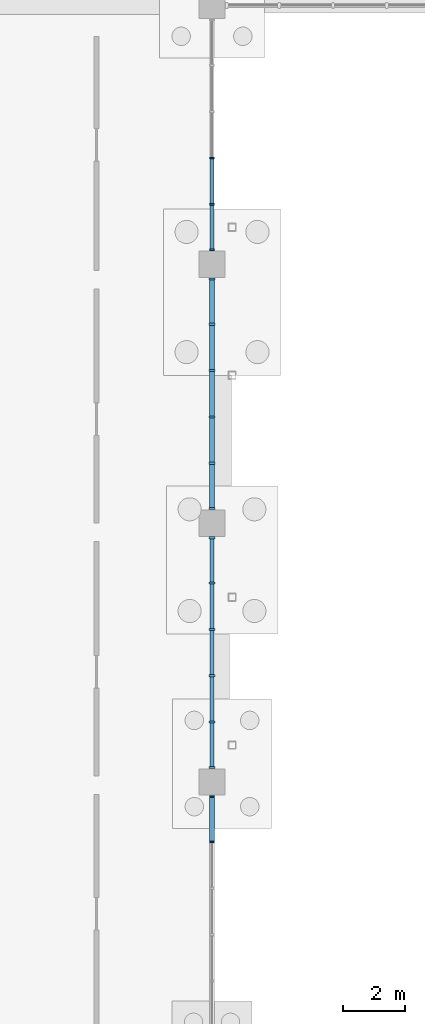
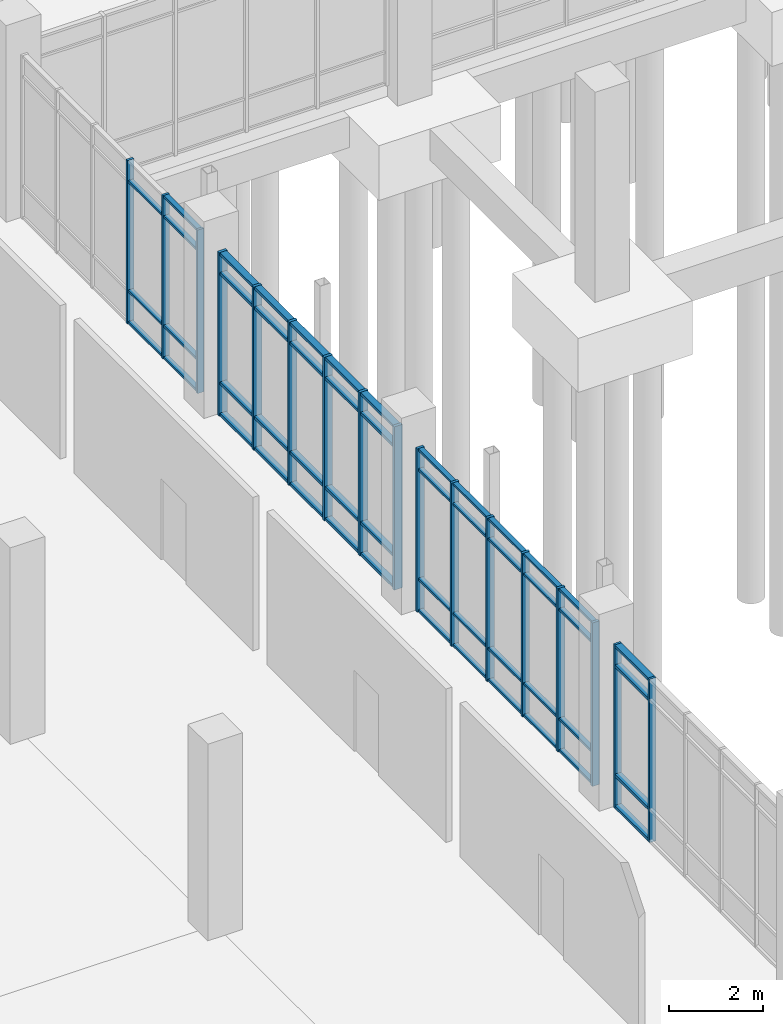
# One storey, part 52 of 136: 68 members, 4 elements without a shape of their own.
"""IFC4 building model written with IfcOpenShell, lengths in metres."""

import ifcopenshell
import ifcopenshell.guid

model = None  # the IFC model being written
_history = None  # IfcOwnerHistory: only IFC2X3 demands one
_inside = {}  # id of a spatial element -> (the spatial element, [elements in it])
_under = {}  # id of a project, library or spatial element -> (it, [spatial elements below it])
_declared = {}  # id of a project -> (the project, [libraries it declares])
_typed = {}  # id of a type object -> (the type object, [elements of that type])
_made_of = {}  # id of a material, layer set ... -> (it, [elements and type objects made of it])


def new_model(schema):
    """Start an empty IFC model of exactly this schema.

    Asked for "IFC4X3", IfcOpenShell would pick the latest addendum, in which some entities
    have other attributes; the version numbers below select the first issue.
    IFC2X3 requires an IfcOwnerHistory on every rooted entity: one is made here for all.
    """
    global model, _history
    if schema == "IFC4X3":
        model = ifcopenshell.file(schema_version=(4, 3, 0, 0))
    else:
        model = ifcopenshell.file(schema=schema)
    _inside.clear()
    _under.clear()
    _declared.clear()
    _typed.clear()
    _made_of.clear()
    _history = None
    if model.schema == "IFC2X3":
        org = make("IfcOrganization", Name="unknown")
        user = make(
            "IfcPersonAndOrganization",
            ThePerson=make("IfcPerson", FamilyName="unknown"),
            TheOrganization=org,
        )
        app = make(
            "IfcApplication",
            ApplicationDeveloper=org,
            Version="unknown",
            ApplicationFullName="unknown",
            ApplicationIdentifier="unknown",
        )
        _history = make(
            "IfcOwnerHistory",
            OwningUser=user,
            OwningApplication=app,
            ChangeAction="ADDED",
            CreationDate=0,
        )
    return model


def make(cls, **values):
    """One entity of the class cls with the attributes given. An attribute that is None is left unset."""
    return model.create_entity(
        cls, **{name: value for name, value in values.items() if value is not None}
    )


def rooted(cls, **values):
    """An entity with a GlobalId (a new one), such as an element, a storey or a relation."""
    return make(cls, GlobalId=ifcopenshell.guid.new(), OwnerHistory=_history, **values)


def si_unit(unit_type, name, prefix=None):
    """IfcSIUnit, for example si_unit("LENGTHUNIT", "METRE", prefix="MILLI")."""
    return make("IfcSIUnit", UnitType=unit_type, Prefix=prefix, Name=name)


def assignment(units):
    """IfcUnitAssignment: the units of a project."""
    return None if units is None else make("IfcUnitAssignment", Units=units)


def point(xyz):
    """IfcCartesianPoint."""
    return None if xyz is None else make("IfcCartesianPoint", Coordinates=xyz)


def direction(xyz):
    """IfcDirection."""
    return None if xyz is None else make("IfcDirection", DirectionRatios=xyz)


def frame(location, z_axis=None, x_axis=None):
    """IfcAxis2Placement3D, a coordinate frame: its origin and axes. An axis left out is left unset."""
    return make(
        "IfcAxis2Placement3D",
        Location=point(location),
        Axis=direction(z_axis),
        RefDirection=direction(x_axis),
    )


def frame_2d(location, x_axis=None):
    """IfcAxis2Placement2D, a coordinate frame in the plane: its origin and x axis."""
    return make(
        "IfcAxis2Placement2D", Location=point(location), RefDirection=direction(x_axis)
    )


def origin():
    """The frame at (0, 0, 0) with its axes left unset."""
    return frame((0.0, 0.0, 0.0))


def origin_2d():
    """The frame at (0, 0) in the plane with its x axis left unset."""
    return frame_2d((0.0, 0.0))


def place(relative_to, where):
    """IfcLocalPlacement: puts the frame where relative to a parent placement (None: the world)."""
    return make(
        "IfcLocalPlacement", PlacementRelTo=relative_to, RelativePlacement=where
    )


def context(
    kind, dimensions, precision=None, world=None, true_north=None, identifier=None
):
    """IfcGeometricRepresentationContext, for example the 3D "Model" context."""
    return make(
        "IfcGeometricRepresentationContext",
        ContextIdentifier=identifier,
        ContextType=kind,
        CoordinateSpaceDimension=dimensions,
        Precision=precision,
        WorldCoordinateSystem=world,
        TrueNorth=true_north,
    )


def subcontext(parent, identifier, kind, view, scale=None):
    """IfcGeometricRepresentationSubContext, for example "Body" below "Model"."""
    return make(
        "IfcGeometricRepresentationSubContext",
        ContextIdentifier=identifier,
        ContextType=kind,
        ParentContext=parent,
        TargetScale=scale,
        TargetView=view,
    )


def project(units=None, contexts=None):
    """IfcProject with its units and contexts."""
    return rooted(
        "IfcProject",
        Name="project",
        RepresentationContexts=contexts,
        UnitsInContext=assignment(units),
    )


def spatial(cls, under=None, at=None, **own):
    """A site, building, storey or space (cls), placed at a placement, below another one or the project."""
    s = rooted(cls, ObjectPlacement=at, **own)
    if under is not None:
        _under.setdefault(under.id(), (under, []))[1].append(s)
    return s


def profile(cls, at=None, kind="AREA", **sizes):
    """A parametric profile (cls). Its sizes go by their IFC names, for example OverallWidth=200.0."""
    return make(cls, ProfileType=kind, Position=at, **sizes)


def rectangle(**sizes):
    """IfcRectangleProfileDef."""
    return profile("IfcRectangleProfileDef", **sizes)


def extrude(swept, where, along, depth):
    """IfcExtrudedAreaSolid: the profile swept, set in the frame where, extruded along a direction by depth."""
    return make(
        "IfcExtrudedAreaSolid",
        SweptArea=swept,
        Position=where,
        ExtrudedDirection=direction(along),
        Depth=depth,
    )


def shape(context_of_items, identifier, shape_type, items):
    """IfcShapeRepresentation: the items that make up one representation, for example the "Body"."""
    return make(
        "IfcShapeRepresentation",
        ContextOfItems=context_of_items,
        RepresentationIdentifier=identifier,
        RepresentationType=shape_type,
        Items=items,
    )


def material(Name=None, Category=None):
    """IfcMaterial."""
    return make("IfcMaterial", Name=Name, Category=Category)


def material_profile(
    of_material, cross_section, Name=None, Category=None, Priority=None
):
    """IfcMaterialProfile: a cross section and its material."""
    return make(
        "IfcMaterialProfile",
        Name=Name,
        Material=of_material,
        Profile=cross_section,
        Priority=Priority,
        Category=Category,
    )


def profile_set(profiles, Name=None, composite=None):
    """IfcMaterialProfileSet."""
    return make(
        "IfcMaterialProfileSet",
        Name=Name,
        MaterialProfiles=profiles,
        CompositeProfile=composite,
    )


def made_of(thing, what):
    """Note that an element or type object is made of a material, layer set ...; save() writes the relation."""
    if what is not None:
        _made_of.setdefault(what.id(), (what, []))[1].append(thing)
    return thing


def type_object(cls, material=None, **own):
    """A type object (cls), such as IfcWallType, which elements share."""
    return made_of(rooted(cls, **own), material)


def element(
    cls,
    number,
    at=None,
    inside=None,
    cuts=None,
    type_object=None,
    material=None,
    context=None,
    identifier="Body",
    shape_type=None,
    held_by="IfcProductDefinitionShape",
    body=None,
    shapes=None,
    **own,
):
    """One element of the class cls, such as IfcWall. Its Tag is "e" and its number.

    at: its placement. inside: the storey or other place that contains it. cuts: it is an
    opening in that element (IfcRelVoidsElement). A single representation is given by context,
    identifier, shape_type and body (its items); several are given by shapes. held_by: the class
    of the entity that holds the representations. save() writes the other relations.
    """
    e = rooted(cls, Tag="e%d" % number, ObjectPlacement=at, **own)
    if body is not None:
        shapes = [shape(context, identifier, shape_type, body)]
    if shapes is not None:
        e.Representation = make(held_by, Representations=shapes)
    if inside is not None:
        _inside.setdefault(inside.id(), (inside, []))[1].append(e)
    if cuts is not None:
        rooted(
            "IfcRelVoidsElement", RelatingBuildingElement=cuts, RelatedOpeningElement=e
        )
    if type_object is not None:
        _typed.setdefault(type_object.id(), (type_object, []))[1].append(e)
    return made_of(e, material)


def aggregate(whole, parts):
    """IfcRelAggregates: a whole, such as a stair, and the parts it consists of."""
    return rooted("IfcRelAggregates", RelatingObject=whole, RelatedObjects=parts)


def save(model, path):
    """Write the relations noted so far, then the file.

    IfcRelAggregates (storeys below a building ...), IfcRelContainedInSpatialStructure (elements
    in a storey), IfcRelDefinesByType, IfcRelAssociatesMaterial and IfcRelDeclares: one each for
    every whole, place, type object, material and project.
    """
    for whole, parts in _under.values():
        aggregate(whole, parts)
    for where, things in _inside.values():
        rooted(
            "IfcRelContainedInSpatialStructure",
            RelatedElements=things,
            RelatingStructure=where,
        )
    for kind, things in _typed.values():
        rooted("IfcRelDefinesByType", RelatedObjects=things, RelatingType=kind)
    for what, things in _made_of.values():
        rooted("IfcRelAssociatesMaterial", RelatedObjects=things, RelatingMaterial=what)
    for by, libraries in _declared.values():
        rooted("IfcRelDeclares", RelatingContext=by, RelatedDefinitions=libraries)
    model.write(path)


model = new_model("IFC4")

# Units and contexts
model_context = context("Model", 3, precision=1e-05, world=origin(), true_north=direction((0.0, 1.0)))
body_context = subcontext(model_context, "Body", "Model", "MODEL_VIEW")
ifc_project = project(units=[si_unit("LENGTHUNIT", "METRE"), si_unit("AREAUNIT", "SQUARE_METRE"), si_unit("VOLUMEUNIT", "CUBIC_METRE"), si_unit("PLANEANGLEUNIT", "RADIAN"), si_unit("MASSUNIT", "GRAM", prefix="KILO")], contexts=[model_context])

# Site, building, storey
site_placement = place(None, origin())
site = spatial("IfcSite", under=ifc_project, at=site_placement, CompositionType="ELEMENT")
building_placement = place(site_placement, origin())
building = spatial("IfcBuilding", under=site, at=building_placement, Name="Oolite Switchyard Hospital", CompositionType="ELEMENT")
storey_placement = place(building_placement, origin())
storey = spatial("IfcBuildingStorey", under=building, at=storey_placement, Name="L00", CompositionType="ELEMENT", Elevation=0.0)

# Curtain wall, members
ifc_material_1 = material(Name="Thermally broken aluminum frame with laminated impact glazing", Category="aluminium")
curtain_wall_type = type_object("IfcCurtainWallType", Name="CW-UNIT-84X51", PredefinedType="USERDEFINED", material=ifc_material_1)
curtain_wall_1_placement = place(storey_placement, origin())
curtain_wall_1 = element("IfcCurtainWall", 1, at=curtain_wall_1_placement, inside=storey, type_object=curtain_wall_type, Name="L00 Unitised Curtain Wall 75", ObjectType="UNITISED", PredefinedType="USERDEFINED")
ifc_material_2 = material(Name="Aluminium 6063-T6", Category="aluminium")
ifc_material_profile_1 = material_profile(ifc_material_2, rectangle(XDim=0.159912109375, YDim=0.06005859375, at=origin_2d()), Name="CWM60X160")
ifc_profile_set_1 = profile_set([ifc_material_profile_1], Name="Aluminium 6063-T6")
member_type_1 = type_object("IfcMemberType", Name="CW-MUL-180", PredefinedType="MULLION", material=ifc_profile_set_1)
member_1_placement = place(storey_placement, frame((144.0, 33.1298828125, 0.0), z_axis=(0.0, 0.0, 1.0), x_axis=(1.0, 0.0, 0.0)))
member_1 = element("IfcMember", 2, at=member_1_placement, type_object=member_type_1, Name="CW-06 mullion 1", PredefinedType="MULLION", context=body_context, shape_type="SweptSolid", body=[
    extrude(rectangle(XDim=0.159912109375, YDim=0.06005859375, at=origin_2d()), origin(), (0.0, 0.0, 1.0), 4.239990234375),
])
member_2_placement = place(storey_placement, frame((144.0, 31.656005859375, 0.0), z_axis=(0.0, 0.0, 1.0), x_axis=(1.0, 0.0, 0.0)))
member_2 = element("IfcMember", 3, at=member_2_placement, type_object=member_type_1, Name="CW-06 mullion 2", PredefinedType="MULLION", context=body_context, shape_type="SweptSolid", body=[
    extrude(rectangle(XDim=0.159912109375, YDim=0.06005859375, at=origin_2d()), origin(), (0.0, 0.0, 1.0), 4.239990234375),
])

curtain_wall_2_placement = place(storey_placement, origin())
curtain_wall_2 = element("IfcCurtainWall", 4, at=curtain_wall_2_placement, inside=storey, type_object=curtain_wall_type, Name="L00 Unitised Curtain Wall 78", ObjectType="UNITISED", PredefinedType="USERDEFINED")
member_3_placement = place(storey_placement, frame((144.0, 53.847900390625, 0.0), z_axis=(0.0, 0.0, 1.0), x_axis=(1.0, 0.0, 0.0)))
member_3 = element("IfcMember", 5, at=member_3_placement, type_object=member_type_1, Name="CW-06 mullion 4", PredefinedType="MULLION", context=body_context, shape_type="SweptSolid", body=[
    extrude(rectangle(XDim=0.159912109375, YDim=0.06005859375, at=origin_2d()), origin(), (0.0, 0.0, 1.0), 4.239990234375),
])
member_4_placement = place(storey_placement, frame((144.0, 52.343994140625, 0.0), z_axis=(0.0, 0.0, 1.0), x_axis=(1.0, 0.0, 0.0)))
member_4 = element("IfcMember", 6, at=member_4_placement, type_object=member_type_1, Name="CW-06 mullion 5", PredefinedType="MULLION", context=body_context, shape_type="SweptSolid", body=[
    extrude(rectangle(XDim=0.159912109375, YDim=0.06005859375, at=origin_2d()), origin(), (0.0, 0.0, 1.0), 4.239990234375),
])
member_5_placement = place(storey_placement, frame((144.0, 50.8701171875, 0.0), z_axis=(0.0, 0.0, 1.0), x_axis=(1.0, 0.0, 0.0)))
member_5 = element("IfcMember", 7, at=member_5_placement, type_object=member_type_1, Name="CW-06 mullion 6", PredefinedType="MULLION", context=body_context, shape_type="SweptSolid", body=[
    extrude(rectangle(XDim=0.159912109375, YDim=0.06005859375, at=origin_2d()), origin(), (0.0, 0.0, 1.0), 4.239990234375),
])

curtain_wall_3_placement = place(storey_placement, origin())
curtain_wall_3 = element("IfcCurtainWall", 8, at=curtain_wall_3_placement, inside=storey, type_object=curtain_wall_type, Name="L00 Unitised Curtain Wall 76", ObjectType="UNITISED", PredefinedType="USERDEFINED")
ifc_material_profile_2 = material_profile(ifc_material_2, rectangle(XDim=0.179931640625, YDim=0.070068359375, at=origin_2d()), Name="CWM70X180")
ifc_profile_set_2 = profile_set([ifc_material_profile_2], Name="Aluminium 6063-T6")
member_type_2 = type_object("IfcMemberType", Name="CW-MUL-220", PredefinedType="MULLION", material=ifc_profile_set_2)
member_6_placement = place(storey_placement, frame((144.0, 41.52490234375, 0.0), z_axis=(0.0, 0.0, 1.0), x_axis=(1.0, 0.0, 0.0)))
member_6 = element("IfcMember", 9, at=member_6_placement, type_object=member_type_2, Name="CW-06 mullion 1", PredefinedType="MULLION", context=body_context, shape_type="SweptSolid", body=[
    extrude(rectangle(XDim=0.179931640625, YDim=0.070068359375, at=origin_2d()), origin(), (0.0, 0.0, 1.0), 4.239990234375),
])
member_7_placement = place(storey_placement, frame((144.0, 40.055908203125, 0.0), z_axis=(0.0, 0.0, 1.0), x_axis=(1.0, 0.0, 0.0)))
member_7 = element("IfcMember", 10, at=member_7_placement, type_object=member_type_2, Name="CW-06 mullion 2", PredefinedType="MULLION", context=body_context, shape_type="SweptSolid", body=[
    extrude(rectangle(XDim=0.179931640625, YDim=0.070068359375, at=origin_2d()), origin(), (0.0, 0.0, 1.0), 4.239990234375),
])
member_8_placement = place(storey_placement, frame((144.0, 38.552001953125, 0.0), z_axis=(0.0, 0.0, 1.0), x_axis=(1.0, 0.0, 0.0)))
member_8 = element("IfcMember", 11, at=member_8_placement, type_object=member_type_2, Name="CW-06 mullion 3", PredefinedType="MULLION", context=body_context, shape_type="SweptSolid", body=[
    extrude(rectangle(XDim=0.179931640625, YDim=0.070068359375, at=origin_2d()), origin(), (0.0, 0.0, 1.0), 4.239990234375),
])
member_9_placement = place(storey_placement, frame((144.0, 37.048095703125, 0.0), z_axis=(0.0, 0.0, 1.0), x_axis=(1.0, 0.0, 0.0)))
member_9 = element("IfcMember", 12, at=member_9_placement, type_object=member_type_2, Name="CW-06 mullion 4", PredefinedType="MULLION", context=body_context, shape_type="SweptSolid", body=[
    extrude(rectangle(XDim=0.179931640625, YDim=0.070068359375, at=origin_2d()), origin(), (0.0, 0.0, 1.0), 4.239990234375),
])
member_10_placement = place(storey_placement, frame((144.0, 35.5439453125, 0.0), z_axis=(0.0, 0.0, 1.0), x_axis=(1.0, 0.0, 0.0)))
member_10 = element("IfcMember", 13, at=member_10_placement, type_object=member_type_2, Name="CW-06 mullion 5", PredefinedType="MULLION", context=body_context, shape_type="SweptSolid", body=[
    extrude(rectangle(XDim=0.179931640625, YDim=0.070068359375, at=origin_2d()), origin(), (0.0, 0.0, 1.0), 4.239990234375),
])
member_11_placement = place(storey_placement, frame((144.0, 34.074951171875, 0.0), z_axis=(0.0, 0.0, 1.0), x_axis=(1.0, 0.0, 0.0)))
member_11 = element("IfcMember", 14, at=member_11_placement, type_object=member_type_2, Name="CW-06 mullion 6", PredefinedType="MULLION", context=body_context, shape_type="SweptSolid", body=[
    extrude(rectangle(XDim=0.179931640625, YDim=0.070068359375, at=origin_2d()), origin(), (0.0, 0.0, 1.0), 4.239990234375),
])

curtain_wall_4_placement = place(storey_placement, origin())
curtain_wall_4 = element("IfcCurtainWall", 15, at=curtain_wall_4_placement, inside=storey, type_object=curtain_wall_type, Name="L00 Unitised Curtain Wall 77", ObjectType="UNITISED", PredefinedType="USERDEFINED")
ifc_material_profile_3 = material_profile(ifc_material_2, rectangle(XDim=0.199951171875, YDim=0.074951171875, at=origin_2d()), Name="CWM75X200")
ifc_profile_set_3 = profile_set([ifc_material_profile_3], Name="Aluminium 6063-T6")
member_type_3 = type_object("IfcMemberType", Name="CW-MUL-260", PredefinedType="MULLION", material=ifc_profile_set_3)
member_12_placement = place(storey_placement, frame((144.0, 49.922607421875, 0.0), z_axis=(0.0, 0.0, 1.0), x_axis=(1.0, 0.0, 0.0)))
member_12 = element("IfcMember", 16, at=member_12_placement, type_object=member_type_3, Name="CW-06 mullion 1", PredefinedType="MULLION", context=body_context, shape_type="SweptSolid", body=[
    extrude(rectangle(XDim=0.199951171875, YDim=0.074951171875, at=origin_2d()), origin(), (0.0, 0.0, 1.0), 4.239990234375),
])
member_13_placement = place(storey_placement, frame((144.0, 48.4560546875, 0.0), z_axis=(0.0, 0.0, 1.0), x_axis=(1.0, 0.0, 0.0)))
member_13 = element("IfcMember", 17, at=member_13_placement, type_object=member_type_3, Name="CW-06 mullion 2", PredefinedType="MULLION", context=body_context, shape_type="SweptSolid", body=[
    extrude(rectangle(XDim=0.199951171875, YDim=0.074951171875, at=origin_2d()), origin(), (0.0, 0.0, 1.0), 4.239990234375),
])
member_14_placement = place(storey_placement, frame((144.0, 46.951904296875, 0.0), z_axis=(0.0, 0.0, 1.0), x_axis=(1.0, 0.0, 0.0)))
member_14 = element("IfcMember", 18, at=member_14_placement, type_object=member_type_3, Name="CW-06 mullion 3", PredefinedType="MULLION", context=body_context, shape_type="SweptSolid", body=[
    extrude(rectangle(XDim=0.199951171875, YDim=0.074951171875, at=origin_2d()), origin(), (0.0, 0.0, 1.0), 4.239990234375),
])
member_15_placement = place(storey_placement, frame((144.0, 45.447998046875, 0.0), z_axis=(0.0, 0.0, 1.0), x_axis=(1.0, 0.0, 0.0)))
member_15 = element("IfcMember", 19, at=member_15_placement, type_object=member_type_3, Name="CW-06 mullion 4", PredefinedType="MULLION", context=body_context, shape_type="SweptSolid", body=[
    extrude(rectangle(XDim=0.199951171875, YDim=0.074951171875, at=origin_2d()), origin(), (0.0, 0.0, 1.0), 4.239990234375),
])
member_16_placement = place(storey_placement, frame((144.0, 43.944091796875, 0.0), z_axis=(0.0, 0.0, 1.0), x_axis=(1.0, 0.0, 0.0)))
member_16 = element("IfcMember", 20, at=member_16_placement, type_object=member_type_3, Name="CW-06 mullion 5", PredefinedType="MULLION", context=body_context, shape_type="SweptSolid", body=[
    extrude(rectangle(XDim=0.199951171875, YDim=0.074951171875, at=origin_2d()), origin(), (0.0, 0.0, 1.0), 4.239990234375),
])
member_17_placement = place(storey_placement, frame((144.0, 42.4775390625, 0.0), z_axis=(0.0, 0.0, 1.0), x_axis=(1.0, 0.0, 0.0)))
member_17 = element("IfcMember", 21, at=member_17_placement, type_object=member_type_3, Name="CW-06 mullion 6", PredefinedType="MULLION", context=body_context, shape_type="SweptSolid", body=[
    extrude(rectangle(XDim=0.199951171875, YDim=0.074951171875, at=origin_2d()), origin(), (0.0, 0.0, 1.0), 4.239990234375),
])

# Member
ifc_material_profile_4 = material_profile(ifc_material_2, rectangle(XDim=0.1201171875, YDim=0.06005859375, at=origin_2d()), Name="CWT60X120")
ifc_profile_set_4 = profile_set([ifc_material_profile_4], Name="Aluminium 6063-T6")
member_type_4 = type_object("IfcMemberType", Name="CW-TRN-150", PredefinedType="USERDEFINED", material=ifc_profile_set_4)
member_18_placement = place(storey_placement, frame((144.0, 41.489990234375, 0.030029296875), z_axis=(0.0, -1.0, 0.0), x_axis=(1.0, 0.0, 0.0)))
member_18 = element("IfcMember", 22, at=member_18_placement, type_object=member_type_4, Name="CW-06 transom 1.1", ObjectType="TRANSOM", PredefinedType="USERDEFINED", context=body_context, shape_type="SweptSolid", body=[
    extrude(rectangle(XDim=0.1201171875, YDim=0.06005859375, at=origin_2d()), origin(), (0.0, 0.0, 1.0), 1.39892578125),
])

member_19_placement = place(storey_placement, frame((144.0, 41.489990234375, 0.85009765625), z_axis=(0.0, -1.0, 0.0), x_axis=(1.0, 0.0, 0.0)))
member_19 = element("IfcMember", 23, at=member_19_placement, type_object=member_type_4, Name="CW-06 transom 1.2", ObjectType="TRANSOM", PredefinedType="USERDEFINED", context=body_context, shape_type="SweptSolid", body=[
    extrude(rectangle(XDim=0.1201171875, YDim=0.06005859375, at=origin_2d()), origin(), (0.0, 0.0, 1.0), 1.39892578125),
])

member_20_placement = place(storey_placement, frame((144.0, 41.489990234375, 3.68994140625), z_axis=(0.0, -1.0, 0.0), x_axis=(1.0, 0.0, 0.0)))
member_20 = element("IfcMember", 24, at=member_20_placement, type_object=member_type_4, Name="CW-06 transom 1.3", ObjectType="TRANSOM", PredefinedType="USERDEFINED", context=body_context, shape_type="SweptSolid", body=[
    extrude(rectangle(XDim=0.1201171875, YDim=0.06005859375, at=origin_2d()), origin(), (0.0, 0.0, 1.0), 1.39892578125),
])

member_21_placement = place(storey_placement, frame((144.0, 41.489990234375, 4.2099609375), z_axis=(0.0, -1.0, 0.0), x_axis=(1.0, 0.0, 0.0)))
member_21 = element("IfcMember", 25, at=member_21_placement, type_object=member_type_4, Name="CW-06 transom 1.4", ObjectType="TRANSOM", PredefinedType="USERDEFINED", context=body_context, shape_type="SweptSolid", body=[
    extrude(rectangle(XDim=0.1201171875, YDim=0.06005859375, at=origin_2d()), origin(), (0.0, 0.0, 1.0), 1.39892578125),
])

member_22_placement = place(storey_placement, frame((144.0, 40.02099609375, 0.030029296875), z_axis=(0.0, -1.0, 0.0), x_axis=(1.0, 0.0, 0.0)))
member_22 = element("IfcMember", 26, at=member_22_placement, type_object=member_type_4, Name="CW-06 transom 2.1", ObjectType="TRANSOM", PredefinedType="USERDEFINED", context=body_context, shape_type="SweptSolid", body=[
    extrude(rectangle(XDim=0.1201171875, YDim=0.06005859375, at=origin_2d()), origin(), (0.0, 0.0, 1.0), 1.43408203125),
])

member_23_placement = place(storey_placement, frame((144.0, 40.02099609375, 0.85009765625), z_axis=(0.0, -1.0, 0.0), x_axis=(1.0, 0.0, 0.0)))
member_23 = element("IfcMember", 27, at=member_23_placement, type_object=member_type_4, Name="CW-06 transom 2.2", ObjectType="TRANSOM", PredefinedType="USERDEFINED", context=body_context, shape_type="SweptSolid", body=[
    extrude(rectangle(XDim=0.1201171875, YDim=0.06005859375, at=origin_2d()), origin(), (0.0, 0.0, 1.0), 1.43408203125),
])

member_24_placement = place(storey_placement, frame((144.0, 40.02099609375, 3.68994140625), z_axis=(0.0, -1.0, 0.0), x_axis=(1.0, 0.0, 0.0)))
member_24 = element("IfcMember", 28, at=member_24_placement, type_object=member_type_4, Name="CW-06 transom 2.3", ObjectType="TRANSOM", PredefinedType="USERDEFINED", context=body_context, shape_type="SweptSolid", body=[
    extrude(rectangle(XDim=0.1201171875, YDim=0.06005859375, at=origin_2d()), origin(), (0.0, 0.0, 1.0), 1.43408203125),
])

member_25_placement = place(storey_placement, frame((144.0, 40.02099609375, 4.2099609375), z_axis=(0.0, -1.0, 0.0), x_axis=(1.0, 0.0, 0.0)))
member_25 = element("IfcMember", 29, at=member_25_placement, type_object=member_type_4, Name="CW-06 transom 2.4", ObjectType="TRANSOM", PredefinedType="USERDEFINED", context=body_context, shape_type="SweptSolid", body=[
    extrude(rectangle(XDim=0.1201171875, YDim=0.06005859375, at=origin_2d()), origin(), (0.0, 0.0, 1.0), 1.43408203125),
])

member_26_placement = place(storey_placement, frame((144.0, 38.51708984375, 0.030029296875), z_axis=(0.0, -1.0, 0.0), x_axis=(1.0, 0.0, 0.0)))
member_26 = element("IfcMember", 30, at=member_26_placement, type_object=member_type_4, Name="CW-06 transom 3.1", ObjectType="TRANSOM", PredefinedType="USERDEFINED", context=body_context, shape_type="SweptSolid", body=[
    extrude(rectangle(XDim=0.1201171875, YDim=0.06005859375, at=origin_2d()), origin(), (0.0, 0.0, 1.0), 1.43408203125),
])

member_27_placement = place(storey_placement, frame((144.0, 38.51708984375, 0.85009765625), z_axis=(0.0, -1.0, 0.0), x_axis=(1.0, 0.0, 0.0)))
member_27 = element("IfcMember", 31, at=member_27_placement, type_object=member_type_4, Name="CW-06 transom 3.2", ObjectType="TRANSOM", PredefinedType="USERDEFINED", context=body_context, shape_type="SweptSolid", body=[
    extrude(rectangle(XDim=0.1201171875, YDim=0.06005859375, at=origin_2d()), origin(), (0.0, 0.0, 1.0), 1.43408203125),
])

member_28_placement = place(storey_placement, frame((144.0, 38.51708984375, 3.68994140625), z_axis=(0.0, -1.0, 0.0), x_axis=(1.0, 0.0, 0.0)))
member_28 = element("IfcMember", 32, at=member_28_placement, type_object=member_type_4, Name="CW-06 transom 3.3", ObjectType="TRANSOM", PredefinedType="USERDEFINED", context=body_context, shape_type="SweptSolid", body=[
    extrude(rectangle(XDim=0.1201171875, YDim=0.06005859375, at=origin_2d()), origin(), (0.0, 0.0, 1.0), 1.43408203125),
])

member_29_placement = place(storey_placement, frame((144.0, 38.51708984375, 4.2099609375), z_axis=(0.0, -1.0, 0.0), x_axis=(1.0, 0.0, 0.0)))
member_29 = element("IfcMember", 33, at=member_29_placement, type_object=member_type_4, Name="CW-06 transom 3.4", ObjectType="TRANSOM", PredefinedType="USERDEFINED", context=body_context, shape_type="SweptSolid", body=[
    extrude(rectangle(XDim=0.1201171875, YDim=0.06005859375, at=origin_2d()), origin(), (0.0, 0.0, 1.0), 1.43408203125),
])

member_30_placement = place(storey_placement, frame((144.0, 37.012939453125, 0.030029296875), z_axis=(0.0, -1.0, 0.0), x_axis=(1.0, 0.0, 0.0)))
member_30 = element("IfcMember", 34, at=member_30_placement, type_object=member_type_4, Name="CW-06 transom 4.1", ObjectType="TRANSOM", PredefinedType="USERDEFINED", context=body_context, shape_type="SweptSolid", body=[
    extrude(rectangle(XDim=0.1201171875, YDim=0.06005859375, at=origin_2d()), origin(), (0.0, 0.0, 1.0), 1.433837890625),
])

member_31_placement = place(storey_placement, frame((144.0, 37.012939453125, 0.85009765625), z_axis=(0.0, -1.0, 0.0), x_axis=(1.0, 0.0, 0.0)))
member_31 = element("IfcMember", 35, at=member_31_placement, type_object=member_type_4, Name="CW-06 transom 4.2", ObjectType="TRANSOM", PredefinedType="USERDEFINED", context=body_context, shape_type="SweptSolid", body=[
    extrude(rectangle(XDim=0.1201171875, YDim=0.06005859375, at=origin_2d()), origin(), (0.0, 0.0, 1.0), 1.433837890625),
])

member_32_placement = place(storey_placement, frame((144.0, 37.012939453125, 3.68994140625), z_axis=(0.0, -1.0, 0.0), x_axis=(1.0, 0.0, 0.0)))
member_32 = element("IfcMember", 36, at=member_32_placement, type_object=member_type_4, Name="CW-06 transom 4.3", ObjectType="TRANSOM", PredefinedType="USERDEFINED", context=body_context, shape_type="SweptSolid", body=[
    extrude(rectangle(XDim=0.1201171875, YDim=0.06005859375, at=origin_2d()), origin(), (0.0, 0.0, 1.0), 1.433837890625),
])

member_33_placement = place(storey_placement, frame((144.0, 37.012939453125, 4.2099609375), z_axis=(0.0, -1.0, 0.0), x_axis=(1.0, 0.0, 0.0)))
member_33 = element("IfcMember", 37, at=member_33_placement, type_object=member_type_4, Name="CW-06 transom 4.4", ObjectType="TRANSOM", PredefinedType="USERDEFINED", context=body_context, shape_type="SweptSolid", body=[
    extrude(rectangle(XDim=0.1201171875, YDim=0.06005859375, at=origin_2d()), origin(), (0.0, 0.0, 1.0), 1.433837890625),
])

member_34_placement = place(storey_placement, frame((144.0, 35.509033203125, 0.030029296875), z_axis=(0.0, -1.0, 0.0), x_axis=(1.0, 0.0, 0.0)))
member_34 = element("IfcMember", 38, at=member_34_placement, type_object=member_type_4, Name="CW-06 transom 5.1", ObjectType="TRANSOM", PredefinedType="USERDEFINED", context=body_context, shape_type="SweptSolid", body=[
    extrude(rectangle(XDim=0.1201171875, YDim=0.06005859375, at=origin_2d()), origin(), (0.0, 0.0, 1.0), 1.39892578125),
])

member_35_placement = place(storey_placement, frame((144.0, 35.509033203125, 0.85009765625), z_axis=(0.0, -1.0, 0.0), x_axis=(1.0, 0.0, 0.0)))
member_35 = element("IfcMember", 39, at=member_35_placement, type_object=member_type_4, Name="CW-06 transom 5.2", ObjectType="TRANSOM", PredefinedType="USERDEFINED", context=body_context, shape_type="SweptSolid", body=[
    extrude(rectangle(XDim=0.1201171875, YDim=0.06005859375, at=origin_2d()), origin(), (0.0, 0.0, 1.0), 1.39892578125),
])

member_36_placement = place(storey_placement, frame((144.0, 35.509033203125, 3.68994140625), z_axis=(0.0, -1.0, 0.0), x_axis=(1.0, 0.0, 0.0)))
member_36 = element("IfcMember", 40, at=member_36_placement, type_object=member_type_4, Name="CW-06 transom 5.3", ObjectType="TRANSOM", PredefinedType="USERDEFINED", context=body_context, shape_type="SweptSolid", body=[
    extrude(rectangle(XDim=0.1201171875, YDim=0.06005859375, at=origin_2d()), origin(), (0.0, 0.0, 1.0), 1.39892578125),
])

member_37_placement = place(storey_placement, frame((144.0, 35.509033203125, 4.2099609375), z_axis=(0.0, -1.0, 0.0), x_axis=(1.0, 0.0, 0.0)))
member_37 = element("IfcMember", 41, at=member_37_placement, type_object=member_type_4, Name="CW-06 transom 5.4", ObjectType="TRANSOM", PredefinedType="USERDEFINED", context=body_context, shape_type="SweptSolid", body=[
    extrude(rectangle(XDim=0.1201171875, YDim=0.06005859375, at=origin_2d()), origin(), (0.0, 0.0, 1.0), 1.39892578125),
])

aggregate(curtain_wall_3, [member_6, member_7, member_8, member_9, member_10, member_11, member_18, member_19, member_20, member_21, member_22, member_23, member_24, member_25, member_26, member_27, member_28, member_29, member_30, member_31, member_32, member_33, member_34, member_35, member_36, member_37])

member_38_placement = place(storey_placement, frame((144.0, 53.818115234375, 0.030029296875), z_axis=(0.0, -1.0, 0.0), x_axis=(1.0, 0.0, 0.0)))
member_38 = element("IfcMember", 42, at=member_38_placement, type_object=member_type_4, Name="CW-06 transom 4.1", ObjectType="TRANSOM", PredefinedType="USERDEFINED", context=body_context, shape_type="SweptSolid", body=[
    extrude(rectangle(XDim=0.1201171875, YDim=0.06005859375, at=origin_2d()), origin(), (0.0, 0.0, 1.0), 1.444091796875),
])

member_39_placement = place(storey_placement, frame((144.0, 53.818115234375, 0.85009765625), z_axis=(0.0, -1.0, 0.0), x_axis=(1.0, 0.0, 0.0)))
member_39 = element("IfcMember", 43, at=member_39_placement, type_object=member_type_4, Name="CW-06 transom 4.2", ObjectType="TRANSOM", PredefinedType="USERDEFINED", context=body_context, shape_type="SweptSolid", body=[
    extrude(rectangle(XDim=0.1201171875, YDim=0.06005859375, at=origin_2d()), origin(), (0.0, 0.0, 1.0), 1.444091796875),
])

member_40_placement = place(storey_placement, frame((144.0, 53.818115234375, 3.68994140625), z_axis=(0.0, -1.0, 0.0), x_axis=(1.0, 0.0, 0.0)))
member_40 = element("IfcMember", 44, at=member_40_placement, type_object=member_type_4, Name="CW-06 transom 4.3", ObjectType="TRANSOM", PredefinedType="USERDEFINED", context=body_context, shape_type="SweptSolid", body=[
    extrude(rectangle(XDim=0.1201171875, YDim=0.06005859375, at=origin_2d()), origin(), (0.0, 0.0, 1.0), 1.444091796875),
])

member_41_placement = place(storey_placement, frame((144.0, 52.31396484375, 0.030029296875), z_axis=(0.0, -1.0, 0.0), x_axis=(1.0, 0.0, 0.0)))
member_41 = element("IfcMember", 45, at=member_41_placement, type_object=member_type_4, Name="CW-06 transom 5.1", ObjectType="TRANSOM", PredefinedType="USERDEFINED", context=body_context, shape_type="SweptSolid", body=[
    extrude(rectangle(XDim=0.1201171875, YDim=0.06005859375, at=origin_2d()), origin(), (0.0, 0.0, 1.0), 1.4140625),
])

member_42_placement = place(storey_placement, frame((144.0, 52.31396484375, 0.85009765625), z_axis=(0.0, -1.0, 0.0), x_axis=(1.0, 0.0, 0.0)))
member_42 = element("IfcMember", 46, at=member_42_placement, type_object=member_type_4, Name="CW-06 transom 5.2", ObjectType="TRANSOM", PredefinedType="USERDEFINED", context=body_context, shape_type="SweptSolid", body=[
    extrude(rectangle(XDim=0.1201171875, YDim=0.06005859375, at=origin_2d()), origin(), (0.0, 0.0, 1.0), 1.4140625),
])

member_43_placement = place(storey_placement, frame((144.0, 52.31396484375, 3.68994140625), z_axis=(0.0, -1.0, 0.0), x_axis=(1.0, 0.0, 0.0)))
member_43 = element("IfcMember", 47, at=member_43_placement, type_object=member_type_4, Name="CW-06 transom 5.3", ObjectType="TRANSOM", PredefinedType="USERDEFINED", context=body_context, shape_type="SweptSolid", body=[
    extrude(rectangle(XDim=0.1201171875, YDim=0.06005859375, at=origin_2d()), origin(), (0.0, 0.0, 1.0), 1.4140625),
])

member_44_placement = place(storey_placement, frame((144.0, 52.31396484375, 4.2099609375), z_axis=(0.0, -1.0, 0.0), x_axis=(1.0, 0.0, 0.0)))
member_44 = element("IfcMember", 48, at=member_44_placement, type_object=member_type_4, Name="CW-06 transom 5.4", ObjectType="TRANSOM", PredefinedType="USERDEFINED", context=body_context, shape_type="SweptSolid", body=[
    extrude(rectangle(XDim=0.1201171875, YDim=0.06005859375, at=origin_2d()), origin(), (0.0, 0.0, 1.0), 1.4140625),
])

aggregate(curtain_wall_2, [member_3, member_4, member_5, member_38, member_39, member_40, member_41, member_42, member_43, member_44])

ifc_material_profile_5 = material_profile(ifc_material_2, rectangle(XDim=0.159912109375, YDim=0.074951171875, at=origin_2d()), Name="CWT75X160")
ifc_profile_set_5 = profile_set([ifc_material_profile_5], Name="Aluminium 6063-T6")
member_type_5 = type_object("IfcMemberType", Name="CW-TRN-180", PredefinedType="USERDEFINED", material=ifc_profile_set_5)
member_45_placement = place(storey_placement, frame((144.0, 33.10009765625, 0.03759765625), z_axis=(0.0, -1.0, 0.0), x_axis=(1.0, 0.0, 0.0)))
member_45 = element("IfcMember", 49, at=member_45_placement, type_object=member_type_5, Name="CW-06 transom 1.1", ObjectType="TRANSOM", PredefinedType="USERDEFINED", context=body_context, shape_type="SweptSolid", body=[
    extrude(rectangle(XDim=0.159912109375, YDim=0.074951171875, at=origin_2d()), origin(), (0.0, 0.0, 1.0), 1.4140625),
])

member_46_placement = place(storey_placement, frame((144.0, 33.10009765625, 0.85009765625), z_axis=(0.0, -1.0, 0.0), x_axis=(1.0, 0.0, 0.0)))
member_46 = element("IfcMember", 50, at=member_46_placement, type_object=member_type_5, Name="CW-06 transom 1.2", ObjectType="TRANSOM", PredefinedType="USERDEFINED", context=body_context, shape_type="SweptSolid", body=[
    extrude(rectangle(XDim=0.159912109375, YDim=0.074951171875, at=origin_2d()), origin(), (0.0, 0.0, 1.0), 1.4140625),
])

member_47_placement = place(storey_placement, frame((144.0, 33.10009765625, 3.68994140625), z_axis=(0.0, -1.0, 0.0), x_axis=(1.0, 0.0, 0.0)))
member_47 = element("IfcMember", 51, at=member_47_placement, type_object=member_type_5, Name="CW-06 transom 1.3", ObjectType="TRANSOM", PredefinedType="USERDEFINED", context=body_context, shape_type="SweptSolid", body=[
    extrude(rectangle(XDim=0.159912109375, YDim=0.074951171875, at=origin_2d()), origin(), (0.0, 0.0, 1.0), 1.4140625),
])

member_48_placement = place(storey_placement, frame((144.0, 33.10009765625, 4.202392578125), z_axis=(0.0, -1.0, 0.0), x_axis=(1.0, 0.0, 0.0)))
member_48 = element("IfcMember", 52, at=member_48_placement, type_object=member_type_5, Name="CW-06 transom 1.4", ObjectType="TRANSOM", PredefinedType="USERDEFINED", context=body_context, shape_type="SweptSolid", body=[
    extrude(rectangle(XDim=0.159912109375, YDim=0.074951171875, at=origin_2d()), origin(), (0.0, 0.0, 1.0), 1.4140625),
])

aggregate(curtain_wall_1, [member_1, member_2, member_45, member_46, member_47, member_48])

member_49_placement = place(storey_placement, frame((144.0, 49.885009765625, 0.03759765625), z_axis=(0.0, -1.0, 0.0), x_axis=(1.0, 0.0, 0.0)))
member_49 = element("IfcMember", 53, at=member_49_placement, type_object=member_type_5, Name="CW-06 transom 1.1", ObjectType="TRANSOM", PredefinedType="USERDEFINED", context=body_context, shape_type="SweptSolid", body=[
    extrude(rectangle(XDim=0.159912109375, YDim=0.074951171875, at=origin_2d()), origin(), (0.0, 0.0, 1.0), 1.3916015625),
])

member_50_placement = place(storey_placement, frame((144.0, 49.885009765625, 0.85009765625), z_axis=(0.0, -1.0, 0.0), x_axis=(1.0, 0.0, 0.0)))
member_50 = element("IfcMember", 54, at=member_50_placement, type_object=member_type_5, Name="CW-06 transom 1.2", ObjectType="TRANSOM", PredefinedType="USERDEFINED", context=body_context, shape_type="SweptSolid", body=[
    extrude(rectangle(XDim=0.159912109375, YDim=0.074951171875, at=origin_2d()), origin(), (0.0, 0.0, 1.0), 1.3916015625),
])

member_51_placement = place(storey_placement, frame((144.0, 49.885009765625, 3.68994140625), z_axis=(0.0, -1.0, 0.0), x_axis=(1.0, 0.0, 0.0)))
member_51 = element("IfcMember", 55, at=member_51_placement, type_object=member_type_5, Name="CW-06 transom 1.3", ObjectType="TRANSOM", PredefinedType="USERDEFINED", context=body_context, shape_type="SweptSolid", body=[
    extrude(rectangle(XDim=0.159912109375, YDim=0.074951171875, at=origin_2d()), origin(), (0.0, 0.0, 1.0), 1.3916015625),
])

member_52_placement = place(storey_placement, frame((144.0, 49.885009765625, 4.202392578125), z_axis=(0.0, -1.0, 0.0), x_axis=(1.0, 0.0, 0.0)))
member_52 = element("IfcMember", 56, at=member_52_placement, type_object=member_type_5, Name="CW-06 transom 1.4", ObjectType="TRANSOM", PredefinedType="USERDEFINED", context=body_context, shape_type="SweptSolid", body=[
    extrude(rectangle(XDim=0.159912109375, YDim=0.074951171875, at=origin_2d()), origin(), (0.0, 0.0, 1.0), 1.3916015625),
])

member_53_placement = place(storey_placement, frame((144.0, 48.41845703125, 0.03759765625), z_axis=(0.0, -1.0, 0.0), x_axis=(1.0, 0.0, 0.0)))
member_53 = element("IfcMember", 57, at=member_53_placement, type_object=member_type_5, Name="CW-06 transom 2.1", ObjectType="TRANSOM", PredefinedType="USERDEFINED", context=body_context, shape_type="SweptSolid", body=[
    extrude(rectangle(XDim=0.159912109375, YDim=0.074951171875, at=origin_2d()), origin(), (0.0, 0.0, 1.0), 1.428955078125),
])

member_54_placement = place(storey_placement, frame((144.0, 48.41845703125, 0.85009765625), z_axis=(0.0, -1.0, 0.0), x_axis=(1.0, 0.0, 0.0)))
member_54 = element("IfcMember", 58, at=member_54_placement, type_object=member_type_5, Name="CW-06 transom 2.2", ObjectType="TRANSOM", PredefinedType="USERDEFINED", context=body_context, shape_type="SweptSolid", body=[
    extrude(rectangle(XDim=0.159912109375, YDim=0.074951171875, at=origin_2d()), origin(), (0.0, 0.0, 1.0), 1.428955078125),
])

member_55_placement = place(storey_placement, frame((144.0, 48.41845703125, 3.68994140625), z_axis=(0.0, -1.0, 0.0), x_axis=(1.0, 0.0, 0.0)))
member_55 = element("IfcMember", 59, at=member_55_placement, type_object=member_type_5, Name="CW-06 transom 2.3", ObjectType="TRANSOM", PredefinedType="USERDEFINED", context=body_context, shape_type="SweptSolid", body=[
    extrude(rectangle(XDim=0.159912109375, YDim=0.074951171875, at=origin_2d()), origin(), (0.0, 0.0, 1.0), 1.428955078125),
])

member_56_placement = place(storey_placement, frame((144.0, 48.41845703125, 4.202392578125), z_axis=(0.0, -1.0, 0.0), x_axis=(1.0, 0.0, 0.0)))
member_56 = element("IfcMember", 60, at=member_56_placement, type_object=member_type_5, Name="CW-06 transom 2.4", ObjectType="TRANSOM", PredefinedType="USERDEFINED", context=body_context, shape_type="SweptSolid", body=[
    extrude(rectangle(XDim=0.159912109375, YDim=0.074951171875, at=origin_2d()), origin(), (0.0, 0.0, 1.0), 1.428955078125),
])

member_57_placement = place(storey_placement, frame((144.0, 46.91455078125, 0.03759765625), z_axis=(0.0, -1.0, 0.0), x_axis=(1.0, 0.0, 0.0)))
member_57 = element("IfcMember", 61, at=member_57_placement, type_object=member_type_5, Name="CW-06 transom 3.1", ObjectType="TRANSOM", PredefinedType="USERDEFINED", context=body_context, shape_type="SweptSolid", body=[
    extrude(rectangle(XDim=0.159912109375, YDim=0.074951171875, at=origin_2d()), origin(), (0.0, 0.0, 1.0), 1.428955078125),
])

member_58_placement = place(storey_placement, frame((144.0, 46.91455078125, 0.85009765625), z_axis=(0.0, -1.0, 0.0), x_axis=(1.0, 0.0, 0.0)))
member_58 = element("IfcMember", 62, at=member_58_placement, type_object=member_type_5, Name="CW-06 transom 3.2", ObjectType="TRANSOM", PredefinedType="USERDEFINED", context=body_context, shape_type="SweptSolid", body=[
    extrude(rectangle(XDim=0.159912109375, YDim=0.074951171875, at=origin_2d()), origin(), (0.0, 0.0, 1.0), 1.428955078125),
])

member_59_placement = place(storey_placement, frame((144.0, 46.91455078125, 3.68994140625), z_axis=(0.0, -1.0, 0.0), x_axis=(1.0, 0.0, 0.0)))
member_59 = element("IfcMember", 63, at=member_59_placement, type_object=member_type_5, Name="CW-06 transom 3.3", ObjectType="TRANSOM", PredefinedType="USERDEFINED", context=body_context, shape_type="SweptSolid", body=[
    extrude(rectangle(XDim=0.159912109375, YDim=0.074951171875, at=origin_2d()), origin(), (0.0, 0.0, 1.0), 1.428955078125),
])

member_60_placement = place(storey_placement, frame((144.0, 46.91455078125, 4.202392578125), z_axis=(0.0, -1.0, 0.0), x_axis=(1.0, 0.0, 0.0)))
member_60 = element("IfcMember", 64, at=member_60_placement, type_object=member_type_5, Name="CW-06 transom 3.4", ObjectType="TRANSOM", PredefinedType="USERDEFINED", context=body_context, shape_type="SweptSolid", body=[
    extrude(rectangle(XDim=0.159912109375, YDim=0.074951171875, at=origin_2d()), origin(), (0.0, 0.0, 1.0), 1.428955078125),
])

member_61_placement = place(storey_placement, frame((144.0, 45.410400390625, 0.03759765625), z_axis=(0.0, -1.0, 0.0), x_axis=(1.0, 0.0, 0.0)))
member_61 = element("IfcMember", 65, at=member_61_placement, type_object=member_type_5, Name="CW-06 transom 4.1", ObjectType="TRANSOM", PredefinedType="USERDEFINED", context=body_context, shape_type="SweptSolid", body=[
    extrude(rectangle(XDim=0.159912109375, YDim=0.074951171875, at=origin_2d()), origin(), (0.0, 0.0, 1.0), 1.428955078125),
])

member_62_placement = place(storey_placement, frame((144.0, 45.410400390625, 0.85009765625), z_axis=(0.0, -1.0, 0.0), x_axis=(1.0, 0.0, 0.0)))
member_62 = element("IfcMember", 66, at=member_62_placement, type_object=member_type_5, Name="CW-06 transom 4.2", ObjectType="TRANSOM", PredefinedType="USERDEFINED", context=body_context, shape_type="SweptSolid", body=[
    extrude(rectangle(XDim=0.159912109375, YDim=0.074951171875, at=origin_2d()), origin(), (0.0, 0.0, 1.0), 1.428955078125),
])

member_63_placement = place(storey_placement, frame((144.0, 45.410400390625, 3.68994140625), z_axis=(0.0, -1.0, 0.0), x_axis=(1.0, 0.0, 0.0)))
member_63 = element("IfcMember", 67, at=member_63_placement, type_object=member_type_5, Name="CW-06 transom 4.3", ObjectType="TRANSOM", PredefinedType="USERDEFINED", context=body_context, shape_type="SweptSolid", body=[
    extrude(rectangle(XDim=0.159912109375, YDim=0.074951171875, at=origin_2d()), origin(), (0.0, 0.0, 1.0), 1.428955078125),
])

member_64_placement = place(storey_placement, frame((144.0, 45.410400390625, 4.202392578125), z_axis=(0.0, -1.0, 0.0), x_axis=(1.0, 0.0, 0.0)))
member_64 = element("IfcMember", 68, at=member_64_placement, type_object=member_type_5, Name="CW-06 transom 4.4", ObjectType="TRANSOM", PredefinedType="USERDEFINED", context=body_context, shape_type="SweptSolid", body=[
    extrude(rectangle(XDim=0.159912109375, YDim=0.074951171875, at=origin_2d()), origin(), (0.0, 0.0, 1.0), 1.428955078125),
])

member_65_placement = place(storey_placement, frame((144.0, 43.906494140625, 0.03759765625), z_axis=(0.0, -1.0, 0.0), x_axis=(1.0, 0.0, 0.0)))
member_65 = element("IfcMember", 69, at=member_65_placement, type_object=member_type_5, Name="CW-06 transom 5.1", ObjectType="TRANSOM", PredefinedType="USERDEFINED", context=body_context, shape_type="SweptSolid", body=[
    extrude(rectangle(XDim=0.159912109375, YDim=0.074951171875, at=origin_2d()), origin(), (0.0, 0.0, 1.0), 1.3916015625),
])

member_66_placement = place(storey_placement, frame((144.0, 43.906494140625, 0.85009765625), z_axis=(0.0, -1.0, 0.0), x_axis=(1.0, 0.0, 0.0)))
member_66 = element("IfcMember", 70, at=member_66_placement, type_object=member_type_5, Name="CW-06 transom 5.2", ObjectType="TRANSOM", PredefinedType="USERDEFINED", context=body_context, shape_type="SweptSolid", body=[
    extrude(rectangle(XDim=0.159912109375, YDim=0.074951171875, at=origin_2d()), origin(), (0.0, 0.0, 1.0), 1.3916015625),
])

member_67_placement = place(storey_placement, frame((144.0, 43.906494140625, 3.68994140625), z_axis=(0.0, -1.0, 0.0), x_axis=(1.0, 0.0, 0.0)))
member_67 = element("IfcMember", 71, at=member_67_placement, type_object=member_type_5, Name="CW-06 transom 5.3", ObjectType="TRANSOM", PredefinedType="USERDEFINED", context=body_context, shape_type="SweptSolid", body=[
    extrude(rectangle(XDim=0.159912109375, YDim=0.074951171875, at=origin_2d()), origin(), (0.0, 0.0, 1.0), 1.3916015625),
])

member_68_placement = place(storey_placement, frame((144.0, 43.906494140625, 4.202392578125), z_axis=(0.0, -1.0, 0.0), x_axis=(1.0, 0.0, 0.0)))
member_68 = element("IfcMember", 72, at=member_68_placement, type_object=member_type_5, Name="CW-06 transom 5.4", ObjectType="TRANSOM", PredefinedType="USERDEFINED", context=body_context, shape_type="SweptSolid", body=[
    extrude(rectangle(XDim=0.159912109375, YDim=0.074951171875, at=origin_2d()), origin(), (0.0, 0.0, 1.0), 1.3916015625),
])

aggregate(curtain_wall_4, [member_12, member_13, member_14, member_15, member_16, member_17, member_49, member_50, member_51, member_52, member_53, member_54, member_55, member_56, member_57, member_58, member_59, member_60, member_61, member_62, member_63, member_64, member_65, member_66, member_67, member_68])

save(model, "model.ifc")
